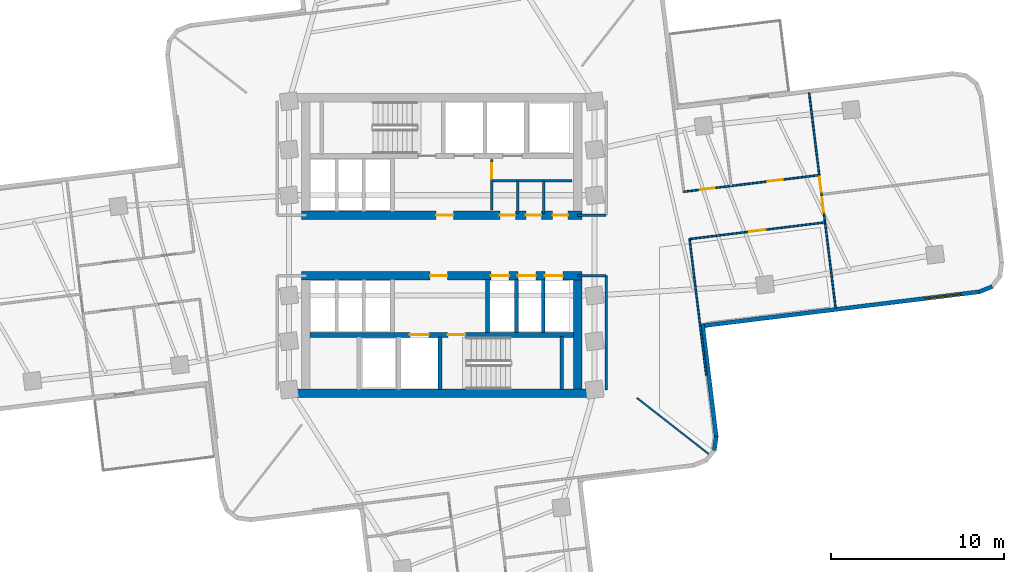
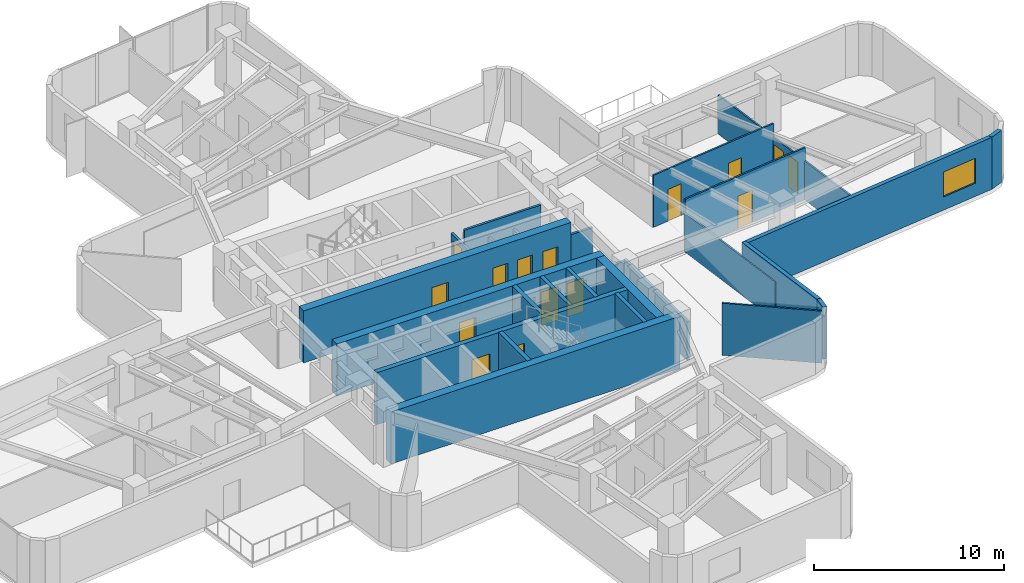
# One storey, part 8 of 13: 26 walls, 16 doors, 1 window, 17 openings.
"""IFC4 building model written with IfcOpenShell, lengths in metres."""

from ifc_helpers import new_model, si_unit, direction, frame, frame_2d, origin, place, context, subcontext, project, spatial, rectangle, extrude, material, layer, layer_set, type_object, element, fill, save


model = new_model("IFC4")

# Units and contexts
model_context = context("Model", 3, precision=1e-05, world=origin(), true_north=direction((0.0, 1.0)))
body_context = subcontext(model_context, "Body", "Model", "MODEL_VIEW")
ifc_project = project(units=[si_unit("LENGTHUNIT", "METRE"), si_unit("AREAUNIT", "SQUARE_METRE"), si_unit("VOLUMEUNIT", "CUBIC_METRE"), si_unit("PLANEANGLEUNIT", "RADIAN"), si_unit("MASSUNIT", "GRAM", prefix="KILO")], contexts=[model_context])

# Site, building, storey
site_placement = place(None, origin())
site = spatial("IfcSite", under=ifc_project, at=site_placement, CompositionType="ELEMENT")
building_placement = place(site_placement, origin())
building = spatial("IfcBuilding", under=site, at=building_placement, Name="Solmarez Civic Tower", CompositionType="ELEMENT")
storey_placement = place(building_placement, frame((0.0, 0.0, 82.080078125)))
storey = spatial("IfcBuildingStorey", under=building, at=storey_placement, Name="L21", CompositionType="ELEMENT", Elevation=82.080078125)

# Wall, openings, doors
ifc_material_1 = material(Name="Concrete C60/75", Category="concrete")
ifc_layer_1 = layer(ifc_material_1, 0.5)
ifc_layer_set_1 = layer_set([ifc_layer_1], Name="Concrete C60/75")
wall_type_1 = type_object("IfcWallType", Name="WALL-CORE-500", PredefinedType="SHEAR", material=ifc_layer_set_1)
wall_1_placement = place(storey_placement, frame((8.1201171875, 1.75, 0.0), z_axis=(0.0, 0.0, 1.0), x_axis=(-1.0, 0.0, 0.0)))
wall_1 = element("IfcWall", 1, at=wall_1_placement, inside=storey, type_object=wall_type_1, Name="L21 Split-Core Structural Wall NCW-S-L21", PredefinedType="SHEAR", context=body_context, shape_type="SweptSolid", body=[
    extrude(rectangle(XDim=16.240234375, YDim=0.5, at=frame_2d((8.1201171875, 0.0))), origin(), (0.0, 0.0, 1.0), 3.33984375),
])
opening_1_placement = place(wall_1_placement, frame((7.449951171875, 0.0, 0.0)))
opening_1 = element("IfcOpeningElement", 2, at=opening_1_placement, cuts=wall_1, Name="Opening D-04", PredefinedType="OPENING", context=body_context, shape_type="SweptSolid", body=[
    extrude(rectangle(XDim=1.0, YDim=2.10009765625, at=frame_2d((0.5, 1.050048828125))), frame((0.0, 0.260009765625, 0.0), z_axis=(0.0, -1.0, 0.0), x_axis=(1.0, 0.0, 0.0)), (0.0, 0.0, 1.0), 0.52001953125),
])
opening_2_placement = place(wall_1_placement, frame((3.85009765625, 0.0, 0.0)))
opening_2 = element("IfcOpeningElement", 3, at=opening_2_placement, cuts=wall_1, Name="Opening D-09", PredefinedType="OPENING", context=body_context, shape_type="SweptSolid", body=[
    extrude(rectangle(XDim=0.89990234375, YDim=2.06005859375, at=frame_2d((0.449951171875, 1.030029296875))), frame((0.0, 0.260009765625, 0.0), z_axis=(0.0, -1.0, 0.0), x_axis=(1.0, 0.0, 0.0)), (0.0, 0.0, 1.0), 0.52001953125),
])
opening_3_placement = place(wall_1_placement, frame((2.35009765625, 0.0, 0.0)))
opening_3 = element("IfcOpeningElement", 4, at=opening_3_placement, cuts=wall_1, Name="Opening D-09", PredefinedType="OPENING", context=body_context, shape_type="SweptSolid", body=[
    extrude(rectangle(XDim=0.89990234375, YDim=2.06005859375, at=frame_2d((0.449951171875, 1.030029296875))), frame((0.0, 0.260009765625, 0.0), z_axis=(0.0, -1.0, 0.0), x_axis=(1.0, 0.0, 0.0)), (0.0, 0.0, 1.0), 0.52001953125),
])
opening_4_placement = place(wall_1_placement, frame((0.800048828125, 0.0, 0.0)))
opening_4 = element("IfcOpeningElement", 5, at=opening_4_placement, cuts=wall_1, Name="Opening D-09", PredefinedType="OPENING", context=body_context, shape_type="SweptSolid", body=[
    extrude(rectangle(XDim=0.89990234375, YDim=2.06005859375, at=frame_2d((0.449951171875, 1.030029296875))), frame((0.0, 0.260009765625, 0.0), z_axis=(0.0, -1.0, 0.0), x_axis=(1.0, 0.0, 0.0)), (0.0, 0.0, 1.0), 0.52001953125),
])
ifc_material_2 = material(Name="Steel-Faced Acoustic Fire Door", Category="steel")
door_type_1 = type_object("IfcDoorType", Name="DOOR-FD60-1000", OperationType="NOTDEFINED", PredefinedType="DOOR", material=ifc_material_2)
door_1_placement = place(opening_1_placement, origin())
door_1 = element("IfcDoor", 6, at=door_1_placement, inside=storey, type_object=door_type_1, Name="L21 North Firefighting Lobby Door", OperationType="SINGLE_SWING_RIGHT", OverallHeight=2.10009765625, OverallWidth=1.0, PredefinedType="DOOR", context=body_context, shape_type="SweptSolid", body=[
    extrude(rectangle(XDim=1.0, YDim=2.10009765625, at=frame_2d((0.5, 1.050048828125))), frame((0.0, 0.02490234375, 0.0), z_axis=(0.0, -1.0, 0.0), x_axis=(1.0, 0.0, 0.0)), (0.0, 0.0, 1.0), 0.050048828125),
])
fill(opening_1, door_1)
ifc_material_3 = material(Name="Fire-Rated Service Core Door", Category="wood")
door_type_2 = type_object("IfcDoorType", Name="DOOR-FD60-900", OperationType="NOTDEFINED", PredefinedType="DOOR", material=ifc_material_3)
door_2_placement = place(opening_2_placement, origin())
door_2 = element("IfcDoor", 7, at=door_2_placement, inside=storey, type_object=door_type_2, Name="L21 Core WC Door", OperationType="SINGLE_SWING_RIGHT", OverallHeight=2.06005859375, OverallWidth=0.89990234375, PredefinedType="DOOR", context=body_context, shape_type="SweptSolid", body=[
    extrude(rectangle(XDim=0.89990234375, YDim=2.06005859375, at=frame_2d((0.449951171875, 1.030029296875))), frame((0.0, 0.02490234375, 0.0), z_axis=(0.0, -1.0, 0.0), x_axis=(1.0, 0.0, 0.0)), (0.0, 0.0, 1.0), 0.050048828125),
])
fill(opening_2, door_2)
door_3_placement = place(opening_3_placement, origin())
door_3 = element("IfcDoor", 8, at=door_3_placement, inside=storey, type_object=door_type_2, Name="L21 Core CL Door", OperationType="SINGLE_SWING_LEFT", OverallHeight=2.06005859375, OverallWidth=0.89990234375, PredefinedType="DOOR", context=body_context, shape_type="SweptSolid", body=[
    extrude(rectangle(XDim=0.89990234375, YDim=2.06005859375, at=frame_2d((0.449951171875, 1.030029296875))), frame((0.0, 0.02490234375, 0.0), z_axis=(0.0, -1.0, 0.0), x_axis=(1.0, 0.0, 0.0)), (0.0, 0.0, 1.0), 0.050048828125),
])
fill(opening_3, door_3)
door_4_placement = place(opening_4_placement, origin())
door_4 = element("IfcDoor", 9, at=door_4_placement, inside=storey, type_object=door_type_2, Name="L21 Core IT Door", OperationType="SINGLE_SWING_LEFT", OverallHeight=2.06005859375, OverallWidth=0.89990234375, PredefinedType="DOOR", context=body_context, shape_type="SweptSolid", body=[
    extrude(rectangle(XDim=0.89990234375, YDim=2.06005859375, at=frame_2d((0.449951171875, 1.030029296875))), frame((0.0, 0.02490234375, 0.0), z_axis=(0.0, -1.0, 0.0), x_axis=(1.0, 0.0, 0.0)), (0.0, 0.0, 1.0), 0.050048828125),
])
fill(opening_4, door_4)

# Wall
wall_2_placement = place(storey_placement, frame((8.780029296875, -8.56005859375, 0.0), z_axis=(0.0, 0.0, 1.0), x_axis=(-1.0, 0.0, 0.0)))
element("IfcWall", 10, at=wall_2_placement, inside=storey, type_object=wall_type_1, Name="L21 Split-Core Structural Wall SCW-S-L21", PredefinedType="SHEAR", context=body_context, shape_type="SweptSolid", body=[
    extrude(rectangle(XDim=17.56005859375, YDim=0.5, at=frame_2d((8.780029296875, 0.0))), origin(), (0.0, 0.0, 1.0), 3.33984375),
])

# Wall, openings, doors
wall_3_placement = place(storey_placement, frame((-8.1201171875, -1.75, 0.0), z_axis=(0.0, 0.0, 1.0), x_axis=(1.0, 0.0, 0.0)))
wall_3 = element("IfcWall", 11, at=wall_3_placement, inside=storey, type_object=wall_type_1, Name="L21 Split-Core Structural Wall SCW-N-L21", PredefinedType="SHEAR", context=body_context, shape_type="SweptSolid", body=[
    extrude(rectangle(XDim=16.240234375, YDim=0.5, at=frame_2d((8.1201171875, 0.0))), origin(), (0.0, 0.0, 1.0), 3.33984375),
])
opening_5_placement = place(wall_3_placement, frame((7.449951171875, 0.0, 0.0)))
opening_5 = element("IfcOpeningElement", 12, at=opening_5_placement, cuts=wall_3, Name="Opening D-04", PredefinedType="OPENING", context=body_context, shape_type="SweptSolid", body=[
    extrude(rectangle(XDim=1.0, YDim=2.10009765625, at=frame_2d((0.5, 1.050048828125))), frame((0.0, 0.260009765625, 0.0), z_axis=(0.0, -1.0, 0.0), x_axis=(1.0, 0.0, 0.0)), (0.0, 0.0, 1.0), 0.52001953125),
])
opening_6_placement = place(wall_3_placement, frame((10.965087890625, 0.0, 0.0)))
opening_6 = element("IfcOpeningElement", 13, at=opening_6_placement, cuts=wall_3, Name="Opening LD-01", PredefinedType="OPENING", context=body_context, shape_type="SweptSolid", body=[
    extrude(rectangle(XDim=1.050048828125, YDim=2.14990234375, at=frame_2d((0.52490234375, 1.074951171875))), frame((0.0, 0.260009765625, 0.0), z_axis=(0.0, -1.0, 0.0), x_axis=(1.0, 0.0, 0.0)), (0.0, 0.0, 1.0), 0.52001953125),
])
opening_7_placement = place(wall_3_placement, frame((12.52490234375, 0.0, 0.0)))
opening_7 = element("IfcOpeningElement", 14, at=opening_7_placement, cuts=wall_3, Name="Opening LD-01", PredefinedType="OPENING", context=body_context, shape_type="SweptSolid", body=[
    extrude(rectangle(XDim=1.050048828125, YDim=2.14990234375, at=frame_2d((0.52490234375, 1.074951171875))), frame((0.0, 0.260009765625, 0.0), z_axis=(0.0, -1.0, 0.0), x_axis=(1.0, 0.0, 0.0)), (0.0, 0.0, 1.0), 0.52001953125),
])
opening_8_placement = place(wall_3_placement, frame((14.0849609375, 0.0, 0.0)))
opening_8 = element("IfcOpeningElement", 15, at=opening_8_placement, cuts=wall_3, Name="Opening LD-01", PredefinedType="OPENING", context=body_context, shape_type="SweptSolid", body=[
    extrude(rectangle(XDim=1.050048828125, YDim=2.14990234375, at=frame_2d((0.52490234375, 1.074951171875))), frame((0.0, 0.260009765625, 0.0), z_axis=(0.0, -1.0, 0.0), x_axis=(1.0, 0.0, 0.0)), (0.0, 0.0, 1.0), 0.52001953125),
])
door_5_placement = place(opening_5_placement, origin())
door_5 = element("IfcDoor", 16, at=door_5_placement, inside=storey, type_object=door_type_1, Name="L21 South Firefighting Lobby Door", OperationType="SINGLE_SWING_LEFT", OverallHeight=2.10009765625, OverallWidth=1.0, PredefinedType="DOOR", context=body_context, shape_type="SweptSolid", body=[
    extrude(rectangle(XDim=1.0, YDim=2.10009765625, at=frame_2d((0.5, 1.050048828125))), frame((0.0, 0.02490234375, 0.0), z_axis=(0.0, -1.0, 0.0), x_axis=(1.0, 0.0, 0.0)), (0.0, 0.0, 1.0), 0.050048828125),
])
fill(opening_5, door_5)
ifc_material_4 = material(Name="Bronze Passenger Lift Landing Sliding Door", Category="aluminium")
door_type_3 = type_object("IfcDoorType", Name="DOOR-LD-PAX-1050", OperationType="DOUBLE_DOOR_SLIDING", PredefinedType="DOOR", material=ifc_material_4)
door_6_placement = place(opening_6_placement, origin())
door_6 = element("IfcDoor", 17, at=door_6_placement, inside=storey, type_object=door_type_3, Name="L21 Low-Rise Lift Landing Door PL-L1", OperationType="DOUBLE_DOOR_SLIDING", OverallHeight=2.14990234375, OverallWidth=1.050048828125, PredefinedType="DOOR", context=body_context, shape_type="SweptSolid", body=[
    extrude(rectangle(XDim=1.050048828125, YDim=2.14990234375, at=frame_2d((0.52490234375, 1.074951171875))), frame((0.0, 0.02490234375, 0.0), z_axis=(0.0, -1.0, 0.0), x_axis=(1.0, 0.0, 0.0)), (0.0, 0.0, 1.0), 0.050048828125),
])
fill(opening_6, door_6)
door_7_placement = place(opening_7_placement, origin())
door_7 = element("IfcDoor", 18, at=door_7_placement, inside=storey, type_object=door_type_3, Name="L21 Low-Rise Lift Landing Door PL-L2", OperationType="DOUBLE_DOOR_SLIDING", OverallHeight=2.14990234375, OverallWidth=1.050048828125, PredefinedType="DOOR", context=body_context, shape_type="SweptSolid", body=[
    extrude(rectangle(XDim=1.050048828125, YDim=2.14990234375, at=frame_2d((0.52490234375, 1.074951171875))), frame((0.0, 0.02490234375, 0.0), z_axis=(0.0, -1.0, 0.0), x_axis=(1.0, 0.0, 0.0)), (0.0, 0.0, 1.0), 0.050048828125),
])
fill(opening_7, door_7)
door_8_placement = place(opening_8_placement, origin())
door_8 = element("IfcDoor", 19, at=door_8_placement, inside=storey, type_object=door_type_3, Name="L21 Low-Rise Lift Landing Door PL-L3", OperationType="DOUBLE_DOOR_SLIDING", OverallHeight=2.14990234375, OverallWidth=1.050048828125, PredefinedType="DOOR", context=body_context, shape_type="SweptSolid", body=[
    extrude(rectangle(XDim=1.050048828125, YDim=2.14990234375, at=frame_2d((0.52490234375, 1.074951171875))), frame((0.0, 0.02490234375, 0.0), z_axis=(0.0, -1.0, 0.0), x_axis=(1.0, 0.0, 0.0)), (0.0, 0.0, 1.0), 0.050048828125),
])
fill(opening_8, door_8)

# Walls
wall_4_placement = place(storey_placement, frame((7.8701171875, -2.0, 0.0), z_axis=(0.0, 0.0, 1.0), x_axis=(0.0, -1.0, 0.0)))
element("IfcWall", 20, at=wall_4_placement, inside=storey, type_object=wall_type_1, Name="L21 Split-Core Structural Wall SCW-E-L21", PredefinedType="SHEAR", context=body_context, shape_type="SweptSolid", body=[
    extrude(rectangle(XDim=6.31005859375, YDim=0.5, at=frame_2d((3.155029296875, 0.0))), origin(), (0.0, 0.0, 1.0), 3.33984375),
])
ifc_material_5 = material(Name="Precast concrete C40/50", Category="concrete")
ifc_layer_2 = layer(ifc_material_5, 0.239990234375)
ifc_layer_set_2 = layer_set([ifc_layer_2], Name="Precast concrete C40/50")
wall_type_2 = type_object("IfcWallType", Name="WALL-EXT-240", PredefinedType="SOLIDWALL", material=ifc_layer_set_2)
wall_5_placement = place(storey_placement, frame((31.889892578125, -2.383056640625, 0.0), z_axis=(0.0, 0.0, 1.0), x_axis=(-0.927007742151, -0.375042192283, 0.0)))
element("IfcWall", 21, at=wall_5_placement, inside=storey, type_object=wall_type_2, Name="L21 Exterior Precast Wall 45", PredefinedType="SOLIDWALL", context=body_context, shape_type="SweptSolid", body=[
    extrude(rectangle(XDim=0.829345703125, YDim=0.239990234375, at=frame_2d((0.41455078125, 0.0))), origin(), (0.0, 0.0, 1.0), 3.33984375),
])

# Wall, opening, window
wall_6_placement = place(storey_placement, frame((31.1689453125, -2.681884765625, 0.0), z_axis=(0.0, 0.0, 1.0), x_axis=(-0.992548484973, -0.121850338438, 0.0)))
wall_6 = element("IfcWall", 22, at=wall_6_placement, inside=storey, type_object=wall_type_2, Name="L21 Exterior Precast Wall 46", PredefinedType="SOLIDWALL", context=body_context, shape_type="SweptSolid", body=[
    extrude(rectangle(XDim=16.275390625, YDim=0.239990234375, at=frame_2d((8.1376953125, 0.0))), origin(), (0.0, 0.0, 1.0), 3.33984375),
])
opening_9_placement = place(wall_6_placement, frame((1.10009765625, 0.0, 0.85009765625)))
opening_9 = element("IfcOpeningElement", 23, at=opening_9_placement, cuts=wall_6, Name="Opening W-11", PredefinedType="OPENING", context=body_context, shape_type="SweptSolid", body=[
    extrude(rectangle(XDim=2.10009765625, YDim=1.60009765625, at=frame_2d((1.050048828125, 0.800048828125))), frame((0.0, 0.1298828125, 0.0), z_axis=(0.0, -1.0, 0.0), x_axis=(1.0, 0.0, 0.0)), (0.0, 0.0, 1.0), 0.260009765625),
])
ifc_material_6 = material(Name="Solar Control Bronze-Tinted Insulating Glass", Category="glass")
window_type = type_object("IfcWindowType", Name="WIN-2100X1600", PartitioningType="SINGLE_PANEL", PredefinedType="WINDOW", material=ifc_material_6)
window_placement = place(opening_9_placement, origin())
window = element("IfcWindow", 24, at=window_placement, inside=storey, type_object=window_type, Name="L21 Exterior Facade Window 46", OverallHeight=1.60009765625, OverallWidth=2.10009765625, PartitioningType="SINGLE_PANEL", PredefinedType="WINDOW", context=body_context, shape_type="SweptSolid", body=[
    extrude(rectangle(XDim=2.10009765625, YDim=1.60009765625, at=frame_2d((1.050048828125, 0.800048828125))), frame((0.0, 0.030029296875, 0.0), z_axis=(0.0, -1.0, 0.0), x_axis=(1.0, 0.0, 0.0)), (0.0, 0.0, 1.0), 0.06005859375),
])
fill(opening_9, window)

# Walls
wall_7_placement = place(storey_placement, frame((15.097900390625, -4.55810546875, 0.0), z_axis=(0.0, 0.0, 1.0), x_axis=(0.121938646341, -0.992537639855, 0.0)))
element("IfcWall", 25, at=wall_7_placement, inside=storey, type_object=wall_type_2, Name="L21 Exterior Precast Wall 49", PredefinedType="SOLIDWALL", context=body_context, shape_type="SweptSolid", body=[
    extrude(rectangle(XDim=6.59521484375, YDim=0.239990234375, at=frame_2d((3.297607421875, 0.0))), origin(), (0.0, 0.0, 1.0), 3.33984375),
])
wall_8_placement = place(storey_placement, frame((15.902099609375, -11.053955078125, 0.0), z_axis=(0.0, 0.0, 1.0), x_axis=(-0.138376981782, -0.990379629694, 0.0)))
element("IfcWall", 26, at=wall_8_placement, inside=storey, type_object=wall_type_2, Name="L21 Exterior Precast Wall 50", PredefinedType="SOLIDWALL", context=body_context, shape_type="SweptSolid", body=[
    extrude(rectangle(XDim=0.8310546875, YDim=0.239990234375, at=frame_2d((0.41552734375, 0.0))), origin(), (0.0, 0.0, 1.0), 3.33984375),
])
ifc_material_7 = material(Name="Gypsum Board Acoustic Steel-Stud Partition", Category="steel")
ifc_layer_3 = layer(ifc_material_7, 0.14990234375)
ifc_layer_set_3 = layer_set([ifc_layer_3], Name="Gypsum Board Acoustic Steel-Stud Partition")
wall_type_3 = type_object("IfcWallType", Name="WALL-INT-FIRE-150", PredefinedType="PARTITIONING", material=ifc_layer_set_3)
wall_9_placement = place(storey_placement, frame((7.85009765625, 1.75, 0.0), z_axis=(0.0, 0.0, 1.0), x_axis=(1.0, 0.0, 0.0)))
element("IfcWall", 27, at=wall_9_placement, inside=storey, type_object=wall_type_3, Name="L21 Interior Partition CHW-L21-EN3", PredefinedType="PARTITIONING", context=body_context, shape_type="SweptSolid", body=[
    extrude(rectangle(XDim=1.669921875, YDim=0.14990234375, at=frame_2d((0.8349609375, 0.0))), origin(), (0.0, 0.0, 1.0), 2.405029296875),
])
wall_10_placement = place(storey_placement, frame((9.52001953125, -8.3798828125, 0.0), z_axis=(0.0, 0.0, 1.0), x_axis=(0.0, 1.0, 0.0)))
element("IfcWall", 28, at=wall_10_placement, inside=storey, type_object=wall_type_3, Name="L21 Interior Partition CHW-L21-ES1", PredefinedType="PARTITIONING", context=body_context, shape_type="SweptSolid", body=[
    extrude(rectangle(XDim=6.6298828125, YDim=0.14990234375, at=frame_2d((3.31494140625, 0.0))), origin(), (0.0, 0.0, 1.0), 2.48583984375),
])
wall_11_placement = place(storey_placement, frame((7.85009765625, -1.75, 0.0), z_axis=(0.0, 0.0, 1.0), x_axis=(1.0, 0.0, 0.0)))
element("IfcWall", 29, at=wall_11_placement, inside=storey, type_object=wall_type_3, Name="L21 Interior Partition CHW-L21-ES3", PredefinedType="PARTITIONING", context=body_context, shape_type="SweptSolid", body=[
    extrude(rectangle(XDim=1.669921875, YDim=0.14990234375, at=frame_2d((0.8349609375, 0.0))), origin(), (0.0, 0.0, 1.0), 2.405029296875),
])
ifc_layer_4 = layer(ifc_material_7, 0.10009765625)
ifc_layer_set_4 = layer_set([ifc_layer_4], Name="Gypsum Board Acoustic Steel-Stud Partition")
wall_type_4 = type_object("IfcWallType", Name="WALL-INT-PART-100", PredefinedType="PARTITIONING", material=ifc_layer_set_4)
wall_12_placement = place(storey_placement, frame((11.300048828125, -8.8291015625, 0.0), z_axis=(0.0, 0.0, 1.0), x_axis=(0.788014623364, -0.61565652223, 0.0)))
element("IfcWall", 30, at=wall_12_placement, inside=storey, type_object=wall_type_4, Name="L21 Interior Partition PT-L21-QDIV-4", PredefinedType="PARTITIONING", context=body_context, shape_type="SweptSolid", body=[
    extrude(rectangle(XDim=5.314697265625, YDim=0.10009765625, at=frame_2d((2.6572265625, 0.0))), origin(), (0.0, 0.0, 1.0), 3.33984375),
])
wall_13_placement = place(storey_placement, frame((15.320068359375, -7.509033203125, 0.0), z_axis=(0.0, 0.0, 1.0), x_axis=(-0.122001160868, 0.992529957607, 0.0)))
element("IfcWall", 31, at=wall_13_placement, inside=storey, type_object=wall_type_4, Name="L21 Interior Partition PT-L21-E-EFR", PredefinedType="PARTITIONING", context=body_context, shape_type="SweptSolid", body=[
    extrude(rectangle(XDim=7.950439453125, YDim=0.10009765625, at=frame_2d((3.97509765625, 0.0))), origin(), (0.0, 0.0, 1.0), 2.48583984375),
])

# Wall, openings, doors
wall_14_placement = place(storey_placement, frame((21.865966796875, 4.074951171875, 0.0), z_axis=(0.0, 0.0, 1.0), x_axis=(-0.992548040298, -0.121853960542, 0.0)))
wall_14 = element("IfcWall", 32, at=wall_14_placement, inside=storey, type_object=wall_type_4, Name="L21 Interior Partition PT-L21-E-SL", PredefinedType="PARTITIONING", context=body_context, shape_type="SweptSolid", body=[
    extrude(rectangle(XDim=7.909912109375, YDim=0.10009765625, at=frame_2d((3.955078125, 0.0))), origin(), (0.0, 0.0, 1.0), 3.33984375),
])
opening_10_placement = place(wall_14_placement, frame((6.094970703125, 0.0, 0.0)))
opening_10 = element("IfcOpeningElement", 33, at=opening_10_placement, cuts=wall_14, Name="Opening D-14", PredefinedType="OPENING", context=body_context, shape_type="SweptSolid", body=[
    extrude(rectangle(XDim=0.860107421875, YDim=2.0400390625, at=frame_2d((0.43017578125, 1.02001953125))), frame((0.0, 0.06005859375, 0.0), z_axis=(0.0, -1.0, 0.0), x_axis=(1.0, 0.0, 0.0)), (0.0, 0.0, 1.0), 0.1201171875),
])
opening_11_placement = place(wall_14_placement, frame((2.139892578125, 0.0, 0.0)))
opening_11 = element("IfcOpeningElement", 34, at=opening_11_placement, cuts=wall_14, Name="Opening D-14", PredefinedType="OPENING", context=body_context, shape_type="SweptSolid", body=[
    extrude(rectangle(XDim=0.860107421875, YDim=2.0400390625, at=frame_2d((0.43017578125, 1.02001953125))), frame((0.0, 0.06005859375, 0.0), z_axis=(0.0, -1.0, 0.0), x_axis=(1.0, 0.0, 0.0)), (0.0, 0.0, 1.0), 0.1201171875),
])
ifc_material_8 = material(Name="Timber Storage and Pantry Door", Category="wood")
door_type_4 = type_object("IfcDoorType", Name="DOOR-INT-850", OperationType="NOTDEFINED", PredefinedType="DOOR", material=ifc_material_8)
door_9_placement = place(opening_10_placement, origin())
door_9 = element("IfcDoor", 35, at=door_9_placement, inside=storey, type_object=door_type_4, Name="L21 Wellness Fitness Room First East Door", OperationType="SINGLE_SWING_LEFT", OverallHeight=2.0400390625, OverallWidth=0.860107421875, PredefinedType="DOOR", context=body_context, shape_type="SweptSolid", body=[
    extrude(rectangle(XDim=0.860107421875, YDim=2.0400390625, at=frame_2d((0.43017578125, 1.02001953125))), frame((0.0, 0.02490234375, 0.0), z_axis=(0.0, -1.0, 0.0), x_axis=(1.0, 0.0, 0.0)), (0.0, 0.0, 1.0), 0.050048828125),
])
fill(opening_10, door_9)
door_10_placement = place(opening_11_placement, origin())
door_10 = element("IfcDoor", 36, at=door_10_placement, inside=storey, type_object=door_type_4, Name="L21 Citizen Legal Clinic Second East Door", OperationType="SINGLE_SWING_RIGHT", OverallHeight=2.0400390625, OverallWidth=0.860107421875, PredefinedType="DOOR", context=body_context, shape_type="SweptSolid", body=[
    extrude(rectangle(XDim=0.860107421875, YDim=2.0400390625, at=frame_2d((0.43017578125, 1.02001953125))), frame((0.0, 0.02490234375, 0.0), z_axis=(0.0, -1.0, 0.0), x_axis=(1.0, 0.0, 0.0)), (0.0, 0.0, 1.0), 0.050048828125),
])
fill(opening_11, door_10)

# Wall, opening, door
wall_15_placement = place(storey_placement, frame((14.35205078125, 0.3720703125, 0.0), z_axis=(0.0, 0.0, 1.0), x_axis=(0.992547581986, 0.121857693618, 0.0)))
wall_15 = element("IfcWall", 37, at=wall_15_placement, inside=storey, type_object=wall_type_4, Name="L21 Interior Partition PT-L21-E-SR", PredefinedType="PARTITIONING", context=body_context, shape_type="SweptSolid", body=[
    extrude(rectangle(XDim=7.90966796875, YDim=0.10009765625, at=frame_2d((3.954833984375, 0.0))), origin(), (0.0, 0.0, 1.0), 3.33984375),
])
opening_12_placement = place(wall_15_placement, frame((3.47509765625, 0.0, 0.0)))
opening_12 = element("IfcOpeningElement", 38, at=opening_12_placement, cuts=wall_15, Name="Opening D-10", PredefinedType="OPENING", context=body_context, shape_type="SweptSolid", body=[
    extrude(rectangle(XDim=0.949951171875, YDim=2.080078125, at=frame_2d((0.47509765625, 1.0400390625))), frame((0.0, 0.06005859375, 0.0), z_axis=(0.0, -1.0, 0.0), x_axis=(1.0, 0.0, 0.0)), (0.0, 0.0, 1.0), 0.1201171875),
])
ifc_material_9 = material(Name="Solid-Core Timber Ministry Office Door", Category="wood")
door_type_5 = type_object("IfcDoorType", Name="DOOR-INT-950", OperationType="NOTDEFINED", PredefinedType="DOOR", material=ifc_material_9)
door_11_placement = place(opening_12_placement, origin())
door_11 = element("IfcDoor", 39, at=door_11_placement, inside=storey, type_object=door_type_5, Name="L21 Public Reading Room Third East Door", OperationType="SINGLE_SWING_RIGHT", OverallHeight=2.080078125, OverallWidth=0.949951171875, PredefinedType="DOOR", context=body_context, shape_type="SweptSolid", body=[
    extrude(rectangle(XDim=0.949951171875, YDim=2.080078125, at=frame_2d((0.47509765625, 1.0400390625))), frame((0.0, 0.02490234375, 0.0), z_axis=(0.0, -1.0, 0.0), x_axis=(1.0, 0.0, 0.0)), (0.0, 0.0, 1.0), 0.050048828125),
])
fill(opening_12, door_11)

# Wall, openings, doors
wall_16_placement = place(storey_placement, frame((21.279052734375, 8.85400390625, 0.0), z_axis=(0.0, 0.0, 1.0), x_axis=(0.121878209661, -0.992545062962, 0.0)))
wall_16 = element("IfcWall", 40, at=wall_16_placement, inside=storey, type_object=wall_type_4, Name="L21 Interior Partition PT-L21-E-END", PredefinedType="PARTITIONING", context=body_context, shape_type="SweptSolid", body=[
    extrude(rectangle(XDim=12.56982421875, YDim=0.10009765625, at=frame_2d((6.284912109375, 0.0))), origin(), (0.0, 0.0, 1.0), 2.48583984375),
])
opening_13_placement = place(wall_16_placement, frame((6.114990234375, 0.0, 0.0)))
opening_13 = element("IfcOpeningElement", 41, at=opening_13_placement, cuts=wall_16, Name="Opening D-14", PredefinedType="OPENING", context=body_context, shape_type="SweptSolid", body=[
    extrude(rectangle(XDim=0.860107421875, YDim=2.0400390625, at=frame_2d((0.43017578125, 1.02001953125))), frame((0.0, 0.06005859375, 0.0), z_axis=(0.0, -1.0, 0.0), x_axis=(1.0, 0.0, 0.0)), (0.0, 0.0, 1.0), 0.1201171875),
])
opening_14_placement = place(wall_16_placement, frame((4.9150390625, 0.0, 0.0)))
opening_14 = element("IfcOpeningElement", 42, at=opening_14_placement, cuts=wall_16, Name="Opening D-14", PredefinedType="OPENING", context=body_context, shape_type="SweptSolid", body=[
    extrude(rectangle(XDim=0.860107421875, YDim=2.0400390625, at=frame_2d((0.43017578125, 1.02001953125))), frame((0.0, 0.06005859375, 0.0), z_axis=(0.0, -1.0, 0.0), x_axis=(1.0, 0.0, 0.0)), (0.0, 0.0, 1.0), 0.1201171875),
])
door_12_placement = place(opening_13_placement, origin())
door_12 = element("IfcDoor", 43, at=door_12_placement, inside=storey, type_object=door_type_4, Name="L21 Delegates Study Lounge Sixth East Door", OperationType="SINGLE_SWING_RIGHT", OverallHeight=2.0400390625, OverallWidth=0.860107421875, PredefinedType="DOOR", context=body_context, shape_type="SweptSolid", body=[
    extrude(rectangle(XDim=0.860107421875, YDim=2.0400390625, at=frame_2d((0.43017578125, 1.02001953125))), frame((0.0, 0.02490234375, 0.0), z_axis=(0.0, -1.0, 0.0), x_axis=(1.0, 0.0, 0.0)), (0.0, 0.0, 1.0), 0.050048828125),
])
fill(opening_13, door_12)
door_13_placement = place(opening_14_placement, origin())
door_13 = element("IfcDoor", 44, at=door_13_placement, inside=storey, type_object=door_type_4, Name="L21 Public Reading Room Fifth East Door", OperationType="SINGLE_SWING_LEFT", OverallHeight=2.0400390625, OverallWidth=0.860107421875, PredefinedType="DOOR", context=body_context, shape_type="SweptSolid", body=[
    extrude(rectangle(XDim=0.860107421875, YDim=2.0400390625, at=frame_2d((0.43017578125, 1.02001953125))), frame((0.0, 0.02490234375, 0.0), z_axis=(0.0, -1.0, 0.0), x_axis=(1.0, 0.0, 0.0)), (0.0, 0.0, 1.0), 0.050048828125),
])
fill(opening_14, door_13)

# Wall, opening, door
ifc_layer_5 = layer(ifc_material_7, 0.159912109375)
ifc_layer_set_5 = layer_set([ifc_layer_5], Name="Gypsum Board Acoustic Steel-Stud Partition")
wall_type_5 = type_object("IfcWallType", Name="WALL-INT-SHAFT-160", PredefinedType="PARTITIONING", material=ifc_layer_set_5)
wall_17_placement = place(storey_placement, frame((2.89990234375, 2.0400390625, 0.0), z_axis=(0.0, 0.0, 1.0), x_axis=(0.0, 1.0, 0.0)))
wall_17 = element("IfcWall", 45, at=wall_17_placement, inside=storey, type_object=wall_type_5, Name="L21 Interior Partition SHW-NL2-L21", PredefinedType="PARTITIONING", context=body_context, shape_type="SweptSolid", body=[
    extrude(rectangle(XDim=2.93994140625, YDim=0.159912109375, at=frame_2d((1.469970703125, 0.0))), origin(), (0.0, 0.0, 1.0), 2.405029296875),
])
opening_15_placement = place(wall_17_placement, frame((1.820068359375, 0.0, 0.0)))
opening_15 = element("IfcOpeningElement", 46, at=opening_15_placement, cuts=wall_17, Name="Opening D-09", PredefinedType="OPENING", context=body_context, shape_type="SweptSolid", body=[
    extrude(rectangle(XDim=0.89990234375, YDim=2.06005859375, at=frame_2d((0.449951171875, 1.030029296875))), frame((0.0, 0.08984375, 0.0), z_axis=(0.0, -1.0, 0.0), x_axis=(1.0, 0.0, 0.0)), (0.0, 0.0, 1.0), 0.179931640625),
])
door_14_placement = place(opening_15_placement, origin())
door_14 = element("IfcDoor", 47, at=door_14_placement, inside=storey, type_object=door_type_2, Name="L21 Service Lift Lobby Door", OperationType="SINGLE_SWING_LEFT", OverallHeight=2.06005859375, OverallWidth=0.89990234375, PredefinedType="DOOR", context=body_context, shape_type="SweptSolid", body=[
    extrude(rectangle(XDim=0.89990234375, YDim=2.06005859375, at=frame_2d((0.449951171875, 1.030029296875))), frame((0.0, 0.02490234375, 0.0), z_axis=(0.0, -1.0, 0.0), x_axis=(1.0, 0.0, 0.0)), (0.0, 0.0, 1.0), 0.050048828125),
])
fill(opening_15, door_14)

# Walls
ifc_layer_6 = layer(ifc_material_7, 0.137939453125)
ifc_layer_set_6 = layer_set([ifc_layer_6], Name="Gypsum Board Acoustic Steel-Stud Partition")
wall_type_6 = type_object("IfcWallType", Name="WALL-INT-WET-140", PredefinedType="PARTITIONING", material=ifc_layer_set_6)
wall_18_placement = place(storey_placement, frame((2.89990234375, 3.739990234375, 0.0), z_axis=(0.0, 0.0, 1.0), x_axis=(1.0, 0.0, 0.0)))
element("IfcWall", 48, at=wall_18_placement, inside=storey, type_object=wall_type_6, Name="L21 Interior Partition SHW-SVH-L21", PredefinedType="PARTITIONING", context=body_context, shape_type="SweptSolid", body=[
    extrude(rectangle(XDim=4.650146484375, YDim=0.137939453125, at=frame_2d((2.3251953125, 0.0))), origin(), (0.0, 0.0, 1.0), 3.33984375),
])
for number, where, z_axis, x_axis, name in (
    (49, (4.39990234375, 1.85009765625, 0.0), (0.0, 0.0, 1.0), (0.0, 1.0, 0.0), "L21 Interior Partition PT-NCSV1-L21"),
    (50, (5.89990234375, 1.85009765625, 0.0), (0.0, 0.0, 1.0), (0.0, 1.0, 0.0), "L21 Interior Partition PT-NCSV2-L21"),
):
    element("IfcWall", number, at=place(storey_placement, frame(where, z_axis=z_axis, x_axis=x_axis)), inside=storey, type_object=wall_type_6, Name=name, PredefinedType="PARTITIONING", context=body_context, shape_type="SweptSolid", body=[
        extrude(rectangle(XDim=1.889892578125, YDim=0.137939453125, at=frame_2d((0.94482421875, 0.0))), origin(), (0.0, 0.0, 1.0), 2.405029296875),
    ])

# Wall, openings, doors
ifc_material_10 = material(Name="Concrete C50/60", Category="concrete")
ifc_layer_7 = layer(ifc_material_10, 0.300048828125)
ifc_layer_set_7 = layer_set([ifc_layer_7], Name="Concrete C50/60")
wall_type_7 = type_object("IfcWallType", Name="WALL-STR-300", PredefinedType="SOLIDWALL", material=ifc_layer_set_7)
wall_19_placement = place(storey_placement, frame((-7.6201171875, -5.179931640625, 0.0), z_axis=(0.0, 0.0, 1.0), x_axis=(1.0, 0.0, 0.0)))
wall_19 = element("IfcWall", 51, at=wall_19_placement, inside=storey, type_object=wall_type_7, Name="L21 Split-Core Structural Wall SCW-M-L21", PredefinedType="SOLIDWALL", context=body_context, shape_type="SweptSolid", body=[
    extrude(rectangle(XDim=15.240234375, YDim=0.300048828125, at=frame_2d((7.6201171875, 0.0))), origin(), (0.0, 0.0, 1.0), 3.33984375),
])
opening_16_placement = place(wall_19_placement, frame((5.77001953125, 0.0, 0.0)))
opening_16 = element("IfcOpeningElement", 52, at=opening_16_placement, cuts=wall_19, Name="Opening LD-02", PredefinedType="OPENING", context=body_context, shape_type="SweptSolid", body=[
    extrude(rectangle(XDim=1.10009765625, YDim=2.14990234375, at=frame_2d((0.550048828125, 1.074951171875))), frame((0.0, 0.159912109375, 0.0), z_axis=(0.0, -1.0, 0.0), x_axis=(1.0, 0.0, 0.0)), (0.0, 0.0, 1.0), 0.320068359375),
])
opening_17_placement = place(wall_19_placement, frame((7.969970703125, 0.0, 0.0)))
opening_17 = element("IfcOpeningElement", 53, at=opening_17_placement, cuts=wall_19, Name="Opening D-05", PredefinedType="OPENING", context=body_context, shape_type="SweptSolid", body=[
    extrude(rectangle(XDim=1.0, YDim=2.10009765625, at=frame_2d((0.5, 1.050048828125))), frame((0.0, 0.159912109375, 0.0), z_axis=(0.0, -1.0, 0.0), x_axis=(1.0, 0.0, 0.0)), (0.0, 0.0, 1.0), 0.320068359375),
])
ifc_material_11 = material(Name="Fire-Rated Stairwell Exit Door", Category="wood")
door_type_6 = type_object("IfcDoorType", Name="DOOR-FD90-1000", OperationType="NOTDEFINED", PredefinedType="DOOR", material=ifc_material_11)
door_15_placement = place(opening_17_placement, origin())
door_15 = element("IfcDoor", 54, at=door_15_placement, inside=storey, type_object=door_type_6, Name="L21 South Exit Stair Door ST-2", OperationType="SINGLE_SWING_LEFT", OverallHeight=2.10009765625, OverallWidth=1.0, PredefinedType="DOOR", context=body_context, shape_type="SweptSolid", body=[
    extrude(rectangle(XDim=1.0, YDim=2.10009765625, at=frame_2d((0.5, 1.050048828125))), frame((0.0, 0.02490234375, 0.0), z_axis=(0.0, -1.0, 0.0), x_axis=(1.0, 0.0, 0.0)), (0.0, 0.0, 1.0), 0.050048828125),
])
fill(opening_17, door_15)
ifc_material_12 = material(Name="Stainless Firefighting Lift Landing Sliding Door", Category="aluminium")
door_type_7 = type_object("IfcDoorType", Name="DOOR-LD-FF-1100", OperationType="DOUBLE_DOOR_SLIDING", PredefinedType="DOOR", material=ifc_material_12)
door_16_placement = place(opening_16_placement, origin())
door_16 = element("IfcDoor", 55, at=door_16_placement, inside=storey, type_object=door_type_7, Name="L21 Firefighting Lift Landing Door FFL-2", OperationType="DOUBLE_DOOR_SLIDING", OverallHeight=2.14990234375, OverallWidth=1.10009765625, PredefinedType="DOOR", context=body_context, shape_type="SweptSolid", body=[
    extrude(rectangle(XDim=1.10009765625, YDim=2.14990234375, at=frame_2d((0.550048828125, 1.074951171875))), frame((0.0, 0.02490234375, 0.0), z_axis=(0.0, -1.0, 0.0), x_axis=(1.0, 0.0, 0.0)), (0.0, 0.0, 1.0), 0.050048828125),
])
fill(opening_16, door_16)

# Walls
wall_20_placement = place(storey_placement, frame((6.949951171875, -8.340087890625, 0.0), z_axis=(0.0, 0.0, 1.0), x_axis=(0.0, 1.0, 0.0)))
element("IfcWall", 56, at=wall_20_placement, inside=storey, type_object=wall_type_7, Name="L21 Split-Core Structural Wall SHW-SE-L21", PredefinedType="SOLIDWALL", context=body_context, shape_type="SweptSolid", body=[
    extrude(rectangle(XDim=3.06005859375, YDim=0.219970703125, at=frame_2d((1.530029296875, 0.0))), origin(), (0.0, 0.0, 1.0), 3.33984375),
])
wall_21_placement = place(storey_placement, frame((-0.10009765625, -8.340087890625, 0.0), z_axis=(0.0, 0.0, 1.0), x_axis=(0.0, 1.0, 0.0)))
element("IfcWall", 57, at=wall_21_placement, inside=storey, type_object=wall_type_7, Name="L21 Split-Core Structural Wall SHW-S1-L21", PredefinedType="SOLIDWALL", context=body_context, shape_type="SweptSolid", body=[
    extrude(rectangle(XDim=3.0400390625, YDim=0.25, at=frame_2d((1.52001953125, 0.0))), origin(), (0.0, 0.0, 1.0), 3.33984375),
])
wall_22_placement = place(storey_placement, frame((2.64990234375, -5.050048828125, 0.0), z_axis=(0.0, 0.0, 1.0), x_axis=(0.0, 1.0, 0.0)))
element("IfcWall", 58, at=wall_22_placement, inside=storey, type_object=wall_type_7, Name="L21 Split-Core Structural Wall SHW-SL2-L21", PredefinedType="SOLIDWALL", context=body_context, shape_type="SweptSolid", body=[
    extrude(rectangle(XDim=3.070068359375, YDim=0.25, at=frame_2d((1.53515625, 0.0))), origin(), (0.0, 0.0, 1.0), 3.33984375),
])
for number, where, z_axis, x_axis, name in (
    (59, (4.320068359375, -5.050048828125, 0.0), (0.0, 0.0, 1.0), (0.0, 1.0, 0.0), "L21 Split-Core Structural Wall SHW-PLL-L21-1"),
    (60, (5.8798828125, -5.050048828125, 0.0), (0.0, 0.0, 1.0), (0.0, 1.0, 0.0), "L21 Split-Core Structural Wall SHW-PLL-L21-2"),
):
    element("IfcWall", number, at=place(storey_placement, frame(where, z_axis=z_axis, x_axis=x_axis)), inside=storey, type_object=wall_type_7, Name=name, PredefinedType="SOLIDWALL", context=body_context, shape_type="SweptSolid", body=[
        extrude(rectangle(XDim=3.070068359375, YDim=0.219970703125, at=frame_2d((1.53515625, 0.0))), origin(), (0.0, 0.0, 1.0), 3.33984375),
    ])

save(model, "model.ifc")
